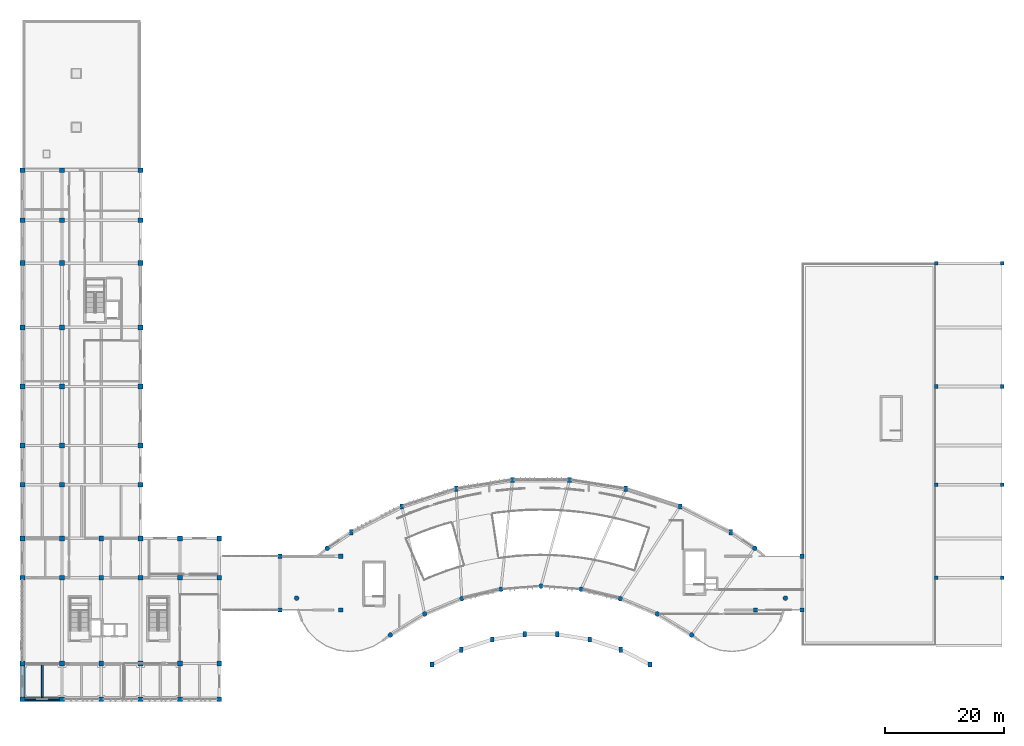
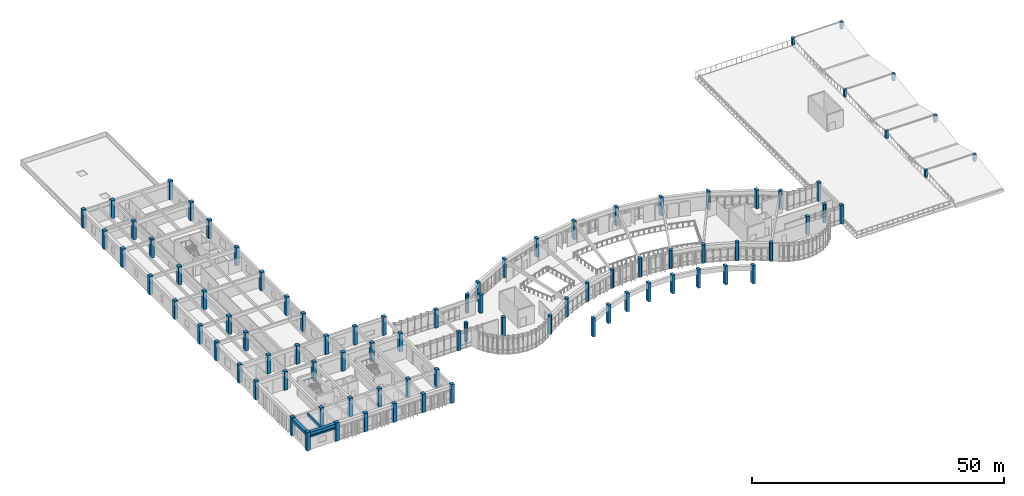
# One storey, part 1 of 54: 89 columns, 4 beams.
"""IFC4 building model written with IfcOpenShell, lengths in metres."""

from ifc_helpers import new_model, si_unit, direction, frame, origin, origin_2d, place, context, subcontext, project, spatial, rectangle, circle, extrude, material, material_profile, profile_set, type_object, element, save


model = new_model("IFC4")

# Units and contexts
model_context = context("Model", 3, precision=1e-05, world=origin(), true_north=direction((0.0, 1.0)))
body_context = subcontext(model_context, "Body", "Model", "MODEL_VIEW")
ifc_project = project(units=[si_unit("LENGTHUNIT", "METRE"), si_unit("AREAUNIT", "SQUARE_METRE"), si_unit("VOLUMEUNIT", "CUBIC_METRE"), si_unit("PLANEANGLEUNIT", "RADIAN"), si_unit("MASSUNIT", "GRAM", prefix="KILO")], contexts=[model_context])

# Site, building, storey
site_placement = place(None, origin())
site = spatial("IfcSite", under=ifc_project, at=site_placement, CompositionType="ELEMENT")
building_placement = place(site_placement, origin())
building = spatial("IfcBuilding", under=site, at=building_placement, Name="Miralva Faculty of Natural Sciences", CompositionType="ELEMENT")
storey_placement = place(building_placement, frame((0.0, 0.0, 19.5)))
storey = spatial("IfcBuildingStorey", under=building, at=storey_placement, Name="L04", CompositionType="ELEMENT", Elevation=19.5)

# Columns
ifc_material_1 = material(Name="Concrete C40/50", Category="concrete")
ifc_material_profile_1 = material_profile(ifc_material_1, rectangle(XDim=0.800048828125, YDim=0.800048828125, at=origin_2d()), Name="RC 800x800")
ifc_profile_set_1 = profile_set([ifc_material_profile_1], Name="Concrete C40/50")
column_type_1 = type_object("IfcColumnType", Name="COL-C05", PredefinedType="COLUMN", material=ifc_profile_set_1)
for number, where, z_axis, x_axis, name in (
    (1, (3.0, 3.0, 0.0), (0.0, 0.0, 1.0), (1.0, 0.0, 0.0), "Column CS-V5-1A L04"),
    (2, (3.0, 9.0, 0.0), (0.0, 0.0, 1.0), (1.0, 0.0, 0.0), "Column CS-V5-1B L04"),
    (3, (3.0, 23.39990234375, 0.0), (0.0, 0.0, 1.0), (1.0, 0.0, 0.0), "Column CS-V5-1C L04"),
    (4, (3.0, 30.0, 0.0), (0.0, 0.0, 1.0), (1.0, 0.0, 0.0), "Column CS-V5-1D L04"),
    (5, (9.60009765625, 3.0, 0.0), (0.0, 0.0, 1.0), (1.0, 0.0, 0.0), "Column CS-V5-2A L04"),
    (6, (9.60009765625, 9.0, 0.0), (0.0, 0.0, 1.0), (1.0, 0.0, 0.0), "Column CS-V5-2B L04"),
    (7, (9.60009765625, 23.39990234375, 0.0), (0.0, 0.0, 1.0), (1.0, 0.0, 0.0), "Column CS-V5-2C L04"),
    (8, (9.60009765625, 30.0, 0.0), (0.0, 0.0, 1.0), (1.0, 0.0, 0.0), "Column CS-V5-2D L04"),
    (9, (16.199951171875, 3.0, 0.0), (0.0, 0.0, 1.0), (1.0, 0.0, 0.0), "Column CS-V5-3A L04"),
    (10, (16.199951171875, 9.0, 0.0), (0.0, 0.0, 1.0), (1.0, 0.0, 0.0), "Column CS-V5-3B L04"),
    (11, (16.199951171875, 23.39990234375, 0.0), (0.0, 0.0, 1.0), (1.0, 0.0, 0.0), "Column CS-V5-3C L04"),
    (12, (16.199951171875, 30.0, 0.0), (0.0, 0.0, 1.0), (1.0, 0.0, 0.0), "Column CS-V5-3D L04"),
    (13, (22.800048828125, 3.0, 0.0), (0.0, 0.0, 1.0), (1.0, 0.0, 0.0), "Column CS-V5-4A L04"),
    (14, (22.800048828125, 9.0, 0.0), (0.0, 0.0, 1.0), (1.0, 0.0, 0.0), "Column CS-V5-4B L04"),
    (15, (22.800048828125, 23.39990234375, 0.0), (0.0, 0.0, 1.0), (1.0, 0.0, 0.0), "Column CS-V5-4C L04"),
    (16, (22.800048828125, 30.0, 0.0), (0.0, 0.0, 1.0), (1.0, 0.0, 0.0), "Column CS-V5-4D L04"),
    (17, (29.39990234375, 3.0, 0.0), (0.0, 0.0, 1.0), (1.0, 0.0, 0.0), "Column CS-V5-5A L04"),
    (18, (29.39990234375, 9.0, 0.0), (0.0, 0.0, 1.0), (1.0, 0.0, 0.0), "Column CS-V5-5B L04"),
    (19, (29.39990234375, 23.39990234375, 0.0), (0.0, 0.0, 1.0), (1.0, 0.0, 0.0), "Column CS-V5-5C L04"),
    (20, (29.39990234375, 30.0, 0.0), (0.0, 0.0, 1.0), (1.0, 0.0, 0.0), "Column CS-V5-5D L04"),
    (21, (36.0, 3.0, 0.0), (0.0, 0.0, 1.0), (1.0, 0.0, 0.0), "Column CS-V5-6A L04"),
    (22, (36.0, 9.0, 0.0), (0.0, 0.0, 1.0), (1.0, 0.0, 0.0), "Column CS-V5-6B L04"),
    (23, (36.0, 23.39990234375, 0.0), (0.0, 0.0, 1.0), (1.0, 0.0, 0.0), "Column CS-V5-6C L04"),
    (24, (36.0, 30.0, 0.0), (0.0, 0.0, 1.0), (1.0, 0.0, 0.0), "Column CS-V5-6D L04"),
    (25, (3.0, 39.0, 0.0), (0.0, 0.0, 1.0), (1.0, 0.0, 0.0), "Column CS-V4W-1E L04"),
    (26, (3.0, 45.60009765625, 0.0), (0.0, 0.0, 1.0), (1.0, 0.0, 0.0), "Column CS-V4W-1F L04"),
    (27, (3.0, 55.5, 0.0), (0.0, 0.0, 1.0), (1.0, 0.0, 0.0), "Column CS-V4W-1G L04"),
    (28, (3.0, 65.39990234375, 0.0), (0.0, 0.0, 1.0), (1.0, 0.0, 0.0), "Column CS-V4W-1H L04"),
    (29, (3.0, 76.199951171875, 0.0), (0.0, 0.0, 1.0), (1.0, 0.0, 0.0), "Column CS-V4W-1I L04"),
    (30, (3.0, 83.39990234375, 0.0), (0.0, 0.0, 1.0), (1.0, 0.0, 0.0), "Column CS-V4W-1J L04"),
    (31, (3.0, 91.800048828125, 0.0), (0.0, 0.0, 1.0), (1.0, 0.0, 0.0), "Column CS-V4W-1K L04"),
    (32, (9.60009765625, 39.0, 0.0), (0.0, 0.0, 1.0), (1.0, 0.0, 0.0), "Column CS-V4W-2E L04"),
    (33, (9.60009765625, 45.60009765625, 0.0), (0.0, 0.0, 1.0), (1.0, 0.0, 0.0), "Column CS-V4W-2F L04"),
    (34, (9.60009765625, 55.5, 0.0), (0.0, 0.0, 1.0), (1.0, 0.0, 0.0), "Column CS-V4W-2G L04"),
    (35, (9.60009765625, 65.39990234375, 0.0), (0.0, 0.0, 1.0), (1.0, 0.0, 0.0), "Column CS-V4W-2H L04"),
    (36, (9.60009765625, 76.199951171875, 0.0), (0.0, 0.0, 1.0), (1.0, 0.0, 0.0), "Column CS-V4W-2I L04"),
    (37, (9.60009765625, 83.39990234375, 0.0), (0.0, 0.0, 1.0), (1.0, 0.0, 0.0), "Column CS-V4W-2J L04"),
    (38, (9.60009765625, 91.800048828125, 0.0), (0.0, 0.0, 1.0), (1.0, 0.0, 0.0), "Column CS-V4W-2K L04"),
    (39, (22.800048828125, 39.0, 0.0), (0.0, 0.0, 1.0), (1.0, 0.0, 0.0), "Column CS-V4W-4E L04"),
    (40, (22.800048828125, 45.60009765625, 0.0), (0.0, 0.0, 1.0), (1.0, 0.0, 0.0), "Column CS-V4W-4F L04"),
    (41, (22.800048828125, 55.5, 0.0), (0.0, 0.0, 1.0), (1.0, 0.0, 0.0), "Column CS-V4W-4G L04"),
    (42, (22.800048828125, 65.39990234375, 0.0), (0.0, 0.0, 1.0), (1.0, 0.0, 0.0), "Column CS-V4W-4H L04"),
    (43, (22.800048828125, 76.199951171875, 0.0), (0.0, 0.0, 1.0), (1.0, 0.0, 0.0), "Column CS-V4W-4I L04"),
    (44, (22.800048828125, 83.39990234375, 0.0), (0.0, 0.0, 1.0), (1.0, 0.0, 0.0), "Column CS-V4W-4J L04"),
    (45, (22.800048828125, 91.800048828125, 0.0), (0.0, 0.0, 1.0), (1.0, 0.0, 0.0), "Column CS-V4W-4K L04"),
):
    element("IfcColumn", number, at=place(storey_placement, frame(where, z_axis=z_axis, x_axis=x_axis)), inside=storey, type_object=column_type_1, Name=name, PredefinedType="COLUMN", context=body_context, shape_type="SweptSolid", body=[
        extrude(rectangle(XDim=0.800048828125, YDim=0.800048828125, at=origin_2d()), origin(), (0.0, 0.0, 1.0), 4.5),
    ])
ifc_material_profile_2 = material_profile(ifc_material_1, rectangle(XDim=0.699951171875, YDim=0.699951171875, at=origin_2d()), Name="RC 700x700")
ifc_profile_set_2 = profile_set([ifc_material_profile_2], Name="Concrete C40/50")
column_type_2 = type_object("IfcColumnType", Name="COL-C07", PredefinedType="COLUMN", material=ifc_profile_set_2)
for number, where, z_axis, x_axis, name in (
    (46, (133.800048828125, 18.0, 0.0), (0.0, 0.0, 1.0), (1.0, 0.0, 0.0), "Column CS-LNK-EL2S L04"),
    (47, (133.800048828125, 27.0, 0.0), (0.0, 0.0, 1.0), (1.0, 0.0, 0.0), "Column CS-LNK-EL2N L04"),
    (48, (46.199951171875, 18.0, 0.0), (0.0, 0.0, 1.0), (1.0, 0.0, 0.0), "Column CS-LNK-WL1S L04"),
    (49, (46.199951171875, 27.0, 0.0), (0.0, 0.0, 1.0), (1.0, 0.0, 0.0), "Column CS-LNK-WL1N L04"),
    (50, (56.39990234375, 18.0, 0.0), (0.0, 0.0, 1.0), (1.0, 0.0, 0.0), "Column CS-LNK-WL2S L04"),
    (51, (56.39990234375, 27.0, 0.0), (0.0, 0.0, 1.0), (1.0, 0.0, 0.0), "Column CS-LNK-WL2N L04"),
    (52, (126.0, 18.0, 0.0), (0.0, 0.0, 1.0), (1.0, 0.0, 0.0), "Column CS-LNK-EL1S L04"),
):
    element("IfcColumn", number, at=place(storey_placement, frame(where, z_axis=z_axis, x_axis=x_axis)), inside=storey, type_object=column_type_2, Name=name, PredefinedType="COLUMN", context=body_context, shape_type="SweptSolid", body=[
        extrude(rectangle(XDim=0.699951171875, YDim=0.699951171875, at=origin_2d()), origin(), (0.0, 0.0, 1.0), 4.5),
    ])
ifc_material_profile_3 = material_profile(ifc_material_1, rectangle(XDim=0.60009765625, YDim=0.60009765625, at=origin_2d()), Name="RC 600x600")
ifc_profile_set_3 = profile_set([ifc_material_profile_3], Name="Concrete C40/50")
column_type_3 = type_object("IfcColumnType", Name="COL-C09", PredefinedType="COLUMN", material=ifc_profile_set_3)
for number, where, z_axis, x_axis, name in (
    (53, (156.300048828125, 23.39990234375, 0.0), (0.0, 0.0, 1.0), (1.0, 0.0, 0.0), "Folded roof ridge column W2"),
    (54, (167.39990234375, 23.39990234375, 0.0), (0.0, 0.0, 1.0), (1.0, 0.0, 0.0), "Folded roof ridge column E2"),
    (55, (156.300048828125, 39.0, 0.0), (0.0, 0.0, 1.0), (1.0, 0.0, 0.0), "Folded roof ridge column W4"),
    (56, (167.39990234375, 39.0, 0.0), (0.0, 0.0, 1.0), (1.0, 0.0, 0.0), "Folded roof ridge column E4"),
    (57, (156.300048828125, 55.5, 0.0), (0.0, 0.0, 1.0), (1.0, 0.0, 0.0), "Folded roof ridge column W6"),
    (58, (167.39990234375, 55.5, 0.0), (0.0, 0.0, 1.0), (1.0, 0.0, 0.0), "Folded roof ridge column E6"),
    (59, (156.300048828125, 76.199951171875, 0.0), (0.0, 0.0, 1.0), (1.0, 0.0, 0.0), "Folded roof ridge column W8"),
    (60, (167.39990234375, 76.199951171875, 0.0), (0.0, 0.0, 1.0), (1.0, 0.0, 0.0), "Folded roof ridge column E8"),
):
    element("IfcColumn", number, at=place(storey_placement, frame(where, z_axis=z_axis, x_axis=x_axis)), inside=storey, type_object=column_type_3, Name=name, PredefinedType="COLUMN", context=body_context, shape_type="SweptSolid", body=[
        extrude(rectangle(XDim=0.60009765625, YDim=0.60009765625, at=origin_2d()), origin(), (0.0, 0.0, 1.0), 1.739990234375),
    ])
ifc_material_2 = material(Name="Concrete C50/60", Category="concrete")
ifc_material_profile_4 = material_profile(ifc_material_2, rectangle(XDim=0.60009765625, YDim=0.89990234375, at=origin_2d()), Name="RC 600x900")
ifc_profile_set_4 = profile_set([ifc_material_profile_4], Name="Concrete C50/60")
column_type_4 = type_object("IfcColumnType", Name="COL-C11", PredefinedType="COLUMN", material=ifc_profile_set_4)
for number, where, z_axis, x_axis, name in (
    (61, (71.712646484375, 8.84228515625, 0.0), (0.0, 0.0, 1.0), (1.0, 0.0, 0.0), "Column CS-SH-IN01 L04"),
    (62, (58.127685546875, 31.010986328125, 0.0), (0.0, 0.0, 1.0), (1.0, 0.0, 0.0), "Column CS-SH-OUT01 L04"),
    (63, (76.606201171875, 11.335693359375, 0.0), (0.0, 0.0, 1.0), (1.0, 0.0, 0.0), "Column CS-SH-IN02 L04"),
    (64, (66.65625, 35.356689453125, 0.0), (0.0, 0.0, 1.0), (1.0, 0.0, 0.0), "Column CS-SH-OUT02 L04"),
    (65, (81.829345703125, 13.032958984375, 0.0), (0.0, 0.0, 1.0), (1.0, 0.0, 0.0), "Column CS-SH-IN03 L04"),
    (66, (75.759765625, 38.314697265625, 0.0), (0.0, 0.0, 1.0), (1.0, 0.0, 0.0), "Column CS-SH-OUT03 L04"),
    (67, (87.25390625, 13.89208984375, 0.0), (0.0, 0.0, 1.0), (1.0, 0.0, 0.0), "Column CS-SH-IN04 L04"),
    (68, (85.214111328125, 39.81201171875, 0.0), (0.0, 0.0, 1.0), (1.0, 0.0, 0.0), "Column CS-SH-OUT04 L04"),
    (69, (92.74609375, 13.89208984375, 0.0), (0.0, 0.0, 1.0), (1.0, 0.0, 0.0), "Column CS-SH-IN05 L04"),
    (70, (94.785888671875, 39.81201171875, 0.0), (0.0, 0.0, 1.0), (1.0, 0.0, 0.0), "Column CS-SH-OUT05 L04"),
    (71, (98.170654296875, 13.032958984375, 0.0), (0.0, 0.0, 1.0), (1.0, 0.0, 0.0), "Column CS-SH-IN06 L04"),
    (72, (104.240234375, 38.314697265625, 0.0), (0.0, 0.0, 1.0), (1.0, 0.0, 0.0), "Column CS-SH-OUT06 L04"),
    (73, (103.393798828125, 11.335693359375, 0.0), (0.0, 0.0, 1.0), (1.0, 0.0, 0.0), "Column CS-SH-IN07 L04"),
    (74, (113.34375, 35.356689453125, 0.0), (0.0, 0.0, 1.0), (1.0, 0.0, 0.0), "Column CS-SH-OUT07 L04"),
    (75, (108.287353515625, 8.84228515625, 0.0), (0.0, 0.0, 1.0), (1.0, 0.0, 0.0), "Column CS-SH-IN08 L04"),
    (76, (121.872314453125, 31.010986328125, 0.0), (0.0, 0.0, 1.0), (1.0, 0.0, 0.0), "Column CS-SH-OUT08 L04"),
):
    element("IfcColumn", number, at=place(storey_placement, frame(where, z_axis=z_axis, x_axis=x_axis)), inside=storey, type_object=column_type_4, Name=name, PredefinedType="COLUMN", context=body_context, shape_type="SweptSolid", body=[
        extrude(rectangle(XDim=0.60009765625, YDim=0.89990234375, at=origin_2d()), origin(), (0.0, 0.0, 1.0), 4.5),
    ])
ifc_material_profile_5 = material_profile(ifc_material_1, circle(Radius=0.39990234375, at=origin_2d()), Name="RC DIA 800")
ifc_profile_set_5 = profile_set([ifc_material_profile_5], Name="Concrete C40/50")
column_type_5 = type_object("IfcColumnType", Name="COL-C14", PredefinedType="COLUMN", material=ifc_profile_set_5)
for number, where, z_axis, x_axis, name in (
    (77, (64.72509765625, 13.78759765625, 0.0), (0.0, 0.0, 1.0), (1.0, 0.0, 0.0), "Column CS-ARC-IN01 L04"),
    (78, (54.14501953125, 28.35009765625, 0.0), (0.0, 0.0, 1.0), (1.0, 0.0, 0.0), "Column CS-ARC-OUT01 L04"),
    (79, (70.478515625, 17.313232421875, 0.0), (0.0, 0.0, 1.0), (1.0, 0.0, 0.0), "Column CS-ARC-IN02 L04"),
    (80, (76.71240234375, 19.8955078125, 0.0), (0.0, 0.0, 1.0), (1.0, 0.0, 0.0), "Column CS-ARC-IN03 L04"),
    (81, (83.273193359375, 21.470703125, 0.0), (0.0, 0.0, 1.0), (1.0, 0.0, 0.0), "Column CS-ARC-IN04 L04"),
    (82, (90.0, 22.0, 0.0), (0.0, 0.0, 1.0), (1.0, 0.0, 0.0), "Column CS-ARC-IN05 L04"),
    (83, (96.726806640625, 21.470703125, 0.0), (0.0, 0.0, 1.0), (1.0, 0.0, 0.0), "Column CS-ARC-IN06 L04"),
    (84, (103.28759765625, 19.8955078125, 0.0), (0.0, 0.0, 1.0), (1.0, 0.0, 0.0), "Column CS-ARC-IN07 L04"),
    (85, (109.521484375, 17.313232421875, 0.0), (0.0, 0.0, 1.0), (1.0, 0.0, 0.0), "Column CS-ARC-IN08 L04"),
    (86, (115.27490234375, 13.78759765625, 0.0), (0.0, 0.0, 1.0), (1.0, 0.0, 0.0), "Column CS-ARC-IN09 L04"),
    (87, (125.85498046875, 28.35009765625, 0.0), (0.0, 0.0, 1.0), (1.0, 0.0, 0.0), "Column CS-ARC-OUT09 L04"),
    (88, (48.985595703125, 19.9765625, 0.0), (0.0, 0.0, 1.0), (1.0, 0.0, 0.0), "Column CS-RND-W01 L04"),
    (89, (131.014404296875, 19.9765625, 0.0), (0.0, 0.0, 1.0), (1.0, 0.0, 0.0), "Column CS-RND-E01 L04"),
):
    element("IfcColumn", number, at=place(storey_placement, frame(where, z_axis=z_axis, x_axis=x_axis)), inside=storey, type_object=column_type_5, Name=name, PredefinedType="COLUMN", context=body_context, shape_type="SweptSolid", body=[
        extrude(circle(Radius=0.39990234375, at=origin_2d()), origin(), (0.0, 0.0, 1.0), 4.5),
    ])

# Beams
ifc_material_profile_6 = material_profile(ifc_material_1, rectangle(XDim=0.300048828125, YDim=0.60009765625, at=origin_2d()), Name="RC 300x600")
ifc_profile_set_6 = profile_set([ifc_material_profile_6], Name="Concrete C40/50")
beam_type_1 = type_object("IfcBeamType", Name="BM-J01", PredefinedType="JOIST", material=ifc_profile_set_6)
beam_1_placement = place(storey_placement, frame((6.300048828125, 3.375, 3.97998046875), z_axis=(0.0, 1.0, 0.0), x_axis=(-1.0, 0.0, 0.0)))
element("IfcBeam", 90, at=beam_1_placement, inside=storey, type_object=beam_type_1, Name="Floor joist L04-1", PredefinedType="JOIST", context=body_context, shape_type="SweptSolid", body=[
    extrude(rectangle(XDim=0.300048828125, YDim=0.60009765625, at=origin_2d()), origin(), (0.0, 0.0, 1.0), 5.425048828125),
])
ifc_material_3 = material(Name="Precast concrete C40/50", Category="concrete")
ifc_material_profile_7 = material_profile(ifc_material_3, rectangle(XDim=0.25, YDim=0.35009765625, at=origin_2d()), Name="RC 250x350")
ifc_profile_set_7 = profile_set([ifc_material_profile_7], Name="Precast concrete C40/50")
beam_type_2 = type_object("IfcBeamType", Name="BM-LN01", PredefinedType="LINTEL", material=ifc_profile_set_7)
beam_2_placement = place(storey_placement, frame((3.3798828125, 3.0, 3.050048828125), z_axis=(1.0, 0.0, 0.0), x_axis=(0.0, 1.0, 0.0)))
element("IfcBeam", 91, at=beam_2_placement, inside=storey, type_object=beam_type_2, Name="Precast stone window lintel S L04", PredefinedType="LINTEL", context=body_context, shape_type="SweptSolid", body=[
    extrude(rectangle(XDim=0.25, YDim=0.35009765625, at=origin_2d()), origin(), (0.0, 0.0, 1.0), 5.840087890625),
])
ifc_material_profile_8 = material_profile(ifc_material_1, rectangle(XDim=0.75, YDim=0.699951171875, at=origin_2d()), Name="RC 750x700")
ifc_profile_set_8 = profile_set([ifc_material_profile_8], Name="Concrete C40/50")
beam_type_3 = type_object("IfcBeamType", Name="BM-SP01", PredefinedType="SPANDREL", material=ifc_profile_set_8)
beam_3_placement = place(storey_placement, frame((3.39990234375, 3.0, 3.929931640625), z_axis=(1.0, 0.0, 0.0), x_axis=(0.0, 1.0, 0.0)))
element("IfcBeam", 92, at=beam_3_placement, inside=storey, type_object=beam_type_3, Name="Girder EW L04-1", PredefinedType="SPANDREL", context=body_context, shape_type="SweptSolid", body=[
    extrude(rectangle(XDim=0.75, YDim=0.699951171875, at=origin_2d()), origin(), (0.0, 0.0, 1.0), 5.800048828125),
])
beam_4_placement = place(storey_placement, frame((3.0, 3.39990234375, 3.929931640625), z_axis=(0.0, 1.0, 0.0), x_axis=(-1.0, 0.0, 0.0)))
element("IfcBeam", 93, at=beam_4_placement, inside=storey, type_object=beam_type_3, Name="Girder NS L04-36", PredefinedType="SPANDREL", context=body_context, shape_type="SweptSolid", body=[
    extrude(rectangle(XDim=0.75, YDim=0.699951171875, at=origin_2d()), origin(), (0.0, 0.0, 1.0), 5.2001953125),
])

save(model, "model.ifc")
